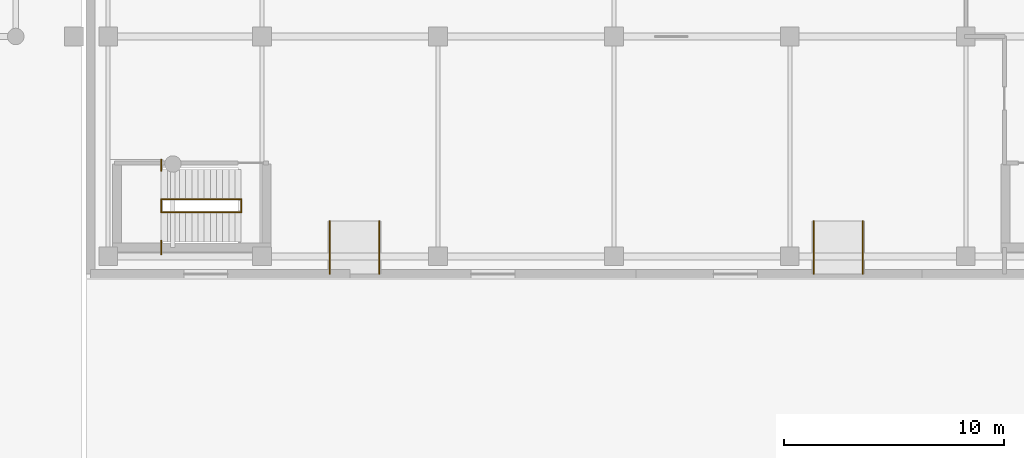
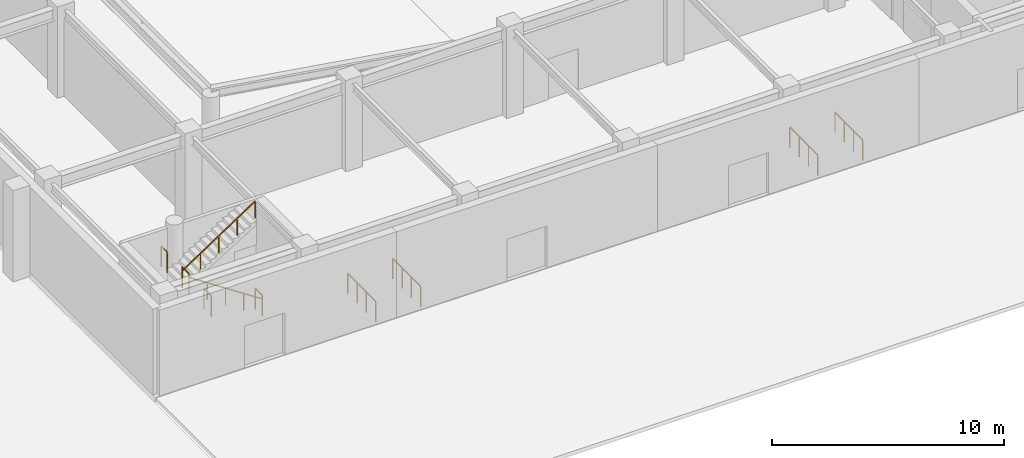
# One storey, part 32 of 35: 10 railings.
"""IFC4 building model written with IfcOpenShell, lengths in metres."""

from ifc_helpers import new_model, si_unit, direction, frame, origin, origin_2d, place, context, subcontext, project, spatial, rectangle, extrude, material, type_object, element, save


model = new_model("IFC4")

# Units and contexts
model_context = context("Model", 3, precision=1e-05, world=origin(), true_north=direction((0.0, 1.0)))
body_context = subcontext(model_context, "Body", "Model", "MODEL_VIEW")
ifc_project = project(units=[si_unit("LENGTHUNIT", "METRE"), si_unit("AREAUNIT", "SQUARE_METRE"), si_unit("VOLUMEUNIT", "CUBIC_METRE"), si_unit("PLANEANGLEUNIT", "RADIAN"), si_unit("MASSUNIT", "GRAM", prefix="KILO")], contexts=[model_context])

# Site, building, storey
site_placement = place(None, origin())
site = spatial("IfcSite", under=ifc_project, at=site_placement, CompositionType="ELEMENT")
building_placement = place(site_placement, origin())
building = spatial("IfcBuilding", under=site, at=building_placement, Name="Kazevale Care Tower and Concert Hall", CompositionType="ELEMENT")
storey_placement = place(building_placement, origin())
storey = spatial("IfcBuildingStorey", under=building, at=storey_placement, Name="L00", CompositionType="ELEMENT", Elevation=0.0)

# Railings
ifc_material = material(Name="Stainless Steel 316", Category="steel")
railing_type_1 = type_object("IfcRailingType", Name="Ramp Stainless Guard Rail", PredefinedType="BALUSTRADE", material=ifc_material)
for number, where, name in (
    (1, (107.080078125, 14.199951171875, -0.02001953125), "rail:L00:pedrampL3"),
    (2, (109.320068359375, 14.199951171875, -0.02001953125), "rail:L00:pedrampR3"),
    (3, (129.080078125, 14.199951171875, -0.02001953125), "rail:L00:pedrampL4"),
    (4, (131.320068359375, 14.199951171875, -0.02001953125), "rail:L00:pedrampR4"),
):
    element("IfcRailing", number, at=place(storey_placement, frame(where)), inside=storey, type_object=railing_type_1, Name=name, PredefinedType="BALUSTRADE", context=body_context, shape_type="SweptSolid", body=[
        extrude(rectangle(XDim=0.048095703125, YDim=0.048095703125, at=origin_2d()), frame((0.0, 0.0, 1.076171875), z_axis=(0.0, 0.999965215989, 0.00834067213), x_axis=(-1.0, 0.0, 0.0)), (0.0, 0.0, 1.0), 2.400146484375),
        extrude(rectangle(XDim=0.0419921875, YDim=0.0419921875, at=origin_2d()), origin(), (0.0, 0.0, 1.0), 1.052001953125),
        extrude(rectangle(XDim=0.0419921875, YDim=0.0419921875, at=origin_2d()), frame((0.0, 0.800048828125, 0.006591796875)), (0.0, 0.0, 1.0), 1.052001953125),
        extrude(rectangle(XDim=0.0419921875, YDim=0.0419921875, at=origin_2d()), frame((0.0, 1.60009765625, 0.013427734375)), (0.0, 0.0, 1.0), 1.052001953125),
        extrude(rectangle(XDim=0.0419921875, YDim=0.0419921875, at=origin_2d()), frame((0.0, 2.400146484375, 0.02001953125)), (0.0, 0.0, 1.0), 1.052001953125),
    ])
railing_type_2 = type_object("IfcRailingType", Name="Stair Pitch Handrail 920", PredefinedType="HANDRAIL", material=ifc_material)
railing_1_placement = place(storey_placement, frame((103.050048828125, 17.010009765625, 0.0)))
element("IfcRailing", 5, at=railing_1_placement, inside=storey, type_object=railing_type_2, Name="stair:L00:ST4:hr1", PredefinedType="HANDRAIL", context=body_context, shape_type="SweptSolid", body=[
    extrude(rectangle(XDim=0.048095703125, YDim=0.048095703125, at=origin_2d()), frame((0.0, 0.0, 0.89599609375), z_axis=(-0.83488217925, 0.0, 0.55042869363), x_axis=(0.0, -1.0, 0.0)), (0.0, 0.0, 1.0), 4.360107421875),
    extrude(rectangle(XDim=0.0419921875, YDim=0.0419921875, at=origin_2d()), origin(), (0.0, 0.0, 1.0), 0.871826171875),
    extrude(rectangle(XDim=0.0419921875, YDim=0.0419921875, at=origin_2d()), frame((-0.91015625, 0.0, 0.60009765625)), (0.0, 0.0, 1.0), 0.871826171875),
    extrude(rectangle(XDim=0.0419921875, YDim=0.0419921875, at=origin_2d()), frame((-1.820068359375, 0.0, 1.199951171875)), (0.0, 0.0, 1.0), 0.871826171875),
    extrude(rectangle(XDim=0.0419921875, YDim=0.0419921875, at=origin_2d()), frame((-2.72998046875, 0.0, 1.7998046875)), (0.0, 0.0, 1.0), 0.871826171875),
    extrude(rectangle(XDim=0.0419921875, YDim=0.0419921875, at=origin_2d()), frame((-3.64013671875, 0.0, 2.39990234375)), (0.0, 0.0, 1.0), 0.871826171875),
])
railing_2_placement = place(storey_placement, frame((99.409912109375, 17.590087890625, 2.39990234375)))
element("IfcRailing", 6, at=railing_2_placement, inside=storey, type_object=railing_type_2, Name="stair:L00:ST4:hr2", PredefinedType="HANDRAIL", context=body_context, shape_type="SweptSolid", body=[
    extrude(rectangle(XDim=0.048095703125, YDim=0.048095703125, at=origin_2d()), frame((0.0, 0.0, 0.89599609375), z_axis=(0.834856447115, 0.0, 0.55046772177), x_axis=(0.0, 1.0, 0.0)), (0.0, 0.0, 1.0), 4.360107421875),
    extrude(rectangle(XDim=0.0419921875, YDim=0.0419921875, at=origin_2d()), origin(), (0.0, 0.0, 1.0), 0.871826171875),
    extrude(rectangle(XDim=0.0419921875, YDim=0.0419921875, at=origin_2d()), frame((0.91015625, 0.0, 0.60009765625)), (0.0, 0.0, 1.0), 0.871826171875),
    extrude(rectangle(XDim=0.0419921875, YDim=0.0419921875, at=origin_2d()), frame((1.820068359375, 0.0, 1.2001953125)), (0.0, 0.0, 1.0), 0.871826171875),
    extrude(rectangle(XDim=0.0419921875, YDim=0.0419921875, at=origin_2d()), frame((2.72998046875, 0.0, 1.800048828125)), (0.0, 0.0, 1.0), 0.871826171875),
    extrude(rectangle(XDim=0.0419921875, YDim=0.0419921875, at=origin_2d()), frame((3.64013671875, 0.0, 2.400146484375)), (0.0, 0.0, 1.0), 0.871826171875),
])
railing_type_3 = type_object("IfcRailingType", Name="Stair Well Guard Balustrade 1120", PredefinedType="BALUSTRADE", material=ifc_material)
railing_3_placement = place(storey_placement, frame((99.409912109375, 15.10009765625, 2.39990234375)))
element("IfcRailing", 7, at=railing_3_placement, inside=storey, type_object=railing_type_3, Name="stair:L00:ST4:grd_side1", PredefinedType="BALUSTRADE", context=body_context, shape_type="SweptSolid", body=[
    extrude(rectangle(XDim=0.048095703125, YDim=0.048095703125, at=origin_2d()), frame((0.0, 0.0, 1.09619140625), z_axis=(0.0, 1.0, 0.0), x_axis=(-1.0, 0.0, 0.0)), (0.0, 0.0, 1.0), 0.60986328125),
    extrude(rectangle(XDim=0.0419921875, YDim=0.0419921875, at=origin_2d()), origin(), (0.0, 0.0, 1.0), 1.072021484375),
    extrude(rectangle(XDim=0.0419921875, YDim=0.0419921875, at=origin_2d()), frame((0.0, 0.60986328125, 0.0)), (0.0, 0.0, 1.0), 1.072021484375),
])
railing_4_placement = place(storey_placement, frame((99.409912109375, 18.889892578125, 2.39990234375)))
element("IfcRailing", 8, at=railing_4_placement, inside=storey, type_object=railing_type_3, Name="stair:L00:ST4:grd_side2", PredefinedType="BALUSTRADE", context=body_context, shape_type="SweptSolid", body=[
    extrude(rectangle(XDim=0.048095703125, YDim=0.048095703125, at=origin_2d()), frame((0.0, 0.0, 1.09619140625), z_axis=(0.0, 1.0, 0.0), x_axis=(-1.0, 0.0, 0.0)), (0.0, 0.0, 1.0), 0.510009765625),
    extrude(rectangle(XDim=0.0419921875, YDim=0.0419921875, at=origin_2d()), origin(), (0.0, 0.0, 1.0), 1.072021484375),
    extrude(rectangle(XDim=0.0419921875, YDim=0.0419921875, at=origin_2d()), frame((0.0, 0.510009765625, 0.0)), (0.0, 0.0, 1.0), 1.072021484375),
])
for number, where, name in (
    (9, (99.409912109375, 17.010009765625, 2.39990234375), "stair:L00:ST4:grd_mid"),
    (10, (103.050048828125, 17.010009765625, 0.0), "stair:L00:ST4:grd_flr"),
):
    element("IfcRailing", number, at=place(storey_placement, frame(where)), inside=storey, type_object=railing_type_3, Name=name, PredefinedType="BALUSTRADE", context=body_context, shape_type="SweptSolid", body=[
        extrude(rectangle(XDim=0.048095703125, YDim=0.048095703125, at=origin_2d()), frame((0.0, 0.0, 1.09619140625), z_axis=(0.0, 1.0, 0.0), x_axis=(-1.0, 0.0, 0.0)), (0.0, 0.0, 1.0), 0.580078125),
        extrude(rectangle(XDim=0.0419921875, YDim=0.0419921875, at=origin_2d()), origin(), (0.0, 0.0, 1.0), 1.072021484375),
        extrude(rectangle(XDim=0.0419921875, YDim=0.0419921875, at=origin_2d()), frame((0.0, 0.580078125, 0.0)), (0.0, 0.0, 1.0), 1.072021484375),
    ])

save(model, "model.ifc")
